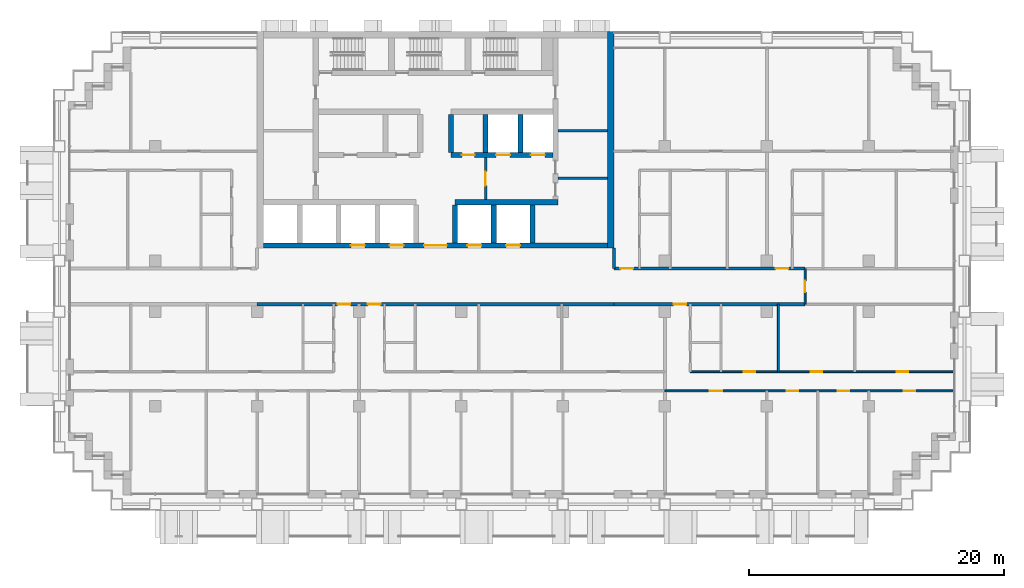
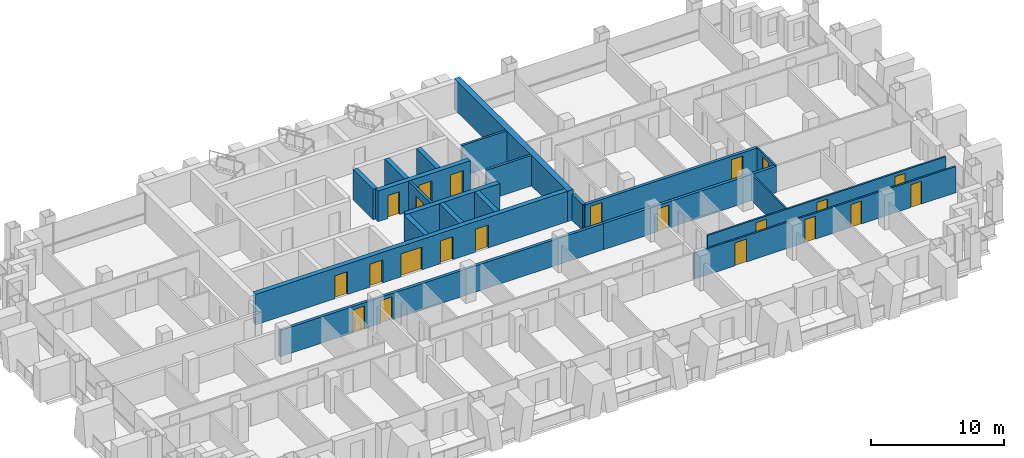
# One storey, part 11 of 18: 22 doors, 21 walls, 22 openings.
"""IFC4 building model written with IfcOpenShell, lengths in metres."""

from ifc_helpers import new_model, si_unit, direction, frame, frame_2d, origin, place, context, subcontext, project, spatial, rectangle, extrude, material, layer, layer_set, type_object, element, fill, save


model = new_model("IFC4")

# Units and contexts
model_context = context("Model", 3, precision=1e-05, world=origin(), true_north=direction((0.0, 1.0)))
body_context = subcontext(model_context, "Body", "Model", "MODEL_VIEW")
ifc_project = project(units=[si_unit("LENGTHUNIT", "METRE"), si_unit("AREAUNIT", "SQUARE_METRE"), si_unit("VOLUMEUNIT", "CUBIC_METRE"), si_unit("PLANEANGLEUNIT", "RADIAN"), si_unit("MASSUNIT", "GRAM", prefix="KILO")], contexts=[model_context])

# Site, building, storey
site_placement = place(None, origin())
site = spatial("IfcSite", under=ifc_project, at=site_placement, CompositionType="ELEMENT")
building_placement = place(site_placement, origin())
building = spatial("IfcBuilding", under=site, at=building_placement, Name="Vidyagriha Tower", CompositionType="ELEMENT")
storey_placement = place(building_placement, frame((0.0, 0.0, 103.10009765625)))
storey = spatial("IfcBuildingStorey", under=building, at=storey_placement, Name="L27", CompositionType="ELEMENT", Elevation=103.10009765625)

# Wall, openings, doors
ifc_material_1 = material(Name="Concrete C60/75", Category="concrete")
ifc_layer_1 = layer(ifc_material_1, 0.39990234375)
ifc_layer_set_1 = layer_set([ifc_layer_1], Name="Concrete C60/75")
wall_type_1 = type_object("IfcWallType", Name="Core shear wall 400 mm", PredefinedType="SHEAR", material=ifc_layer_set_1)
wall_1_placement = place(storey_placement, frame((-13.5, 3.199951171875, 0.0)))
wall_1 = element("IfcWall", 1, at=wall_1_placement, inside=storey, type_object=wall_type_1, Name="Core front wall", PredefinedType="SHEAR", context=body_context, shape_type="SweptSolid", body=[
    extrude(rectangle(XDim=27.0, YDim=0.39990234375, at=frame_2d((13.5, 0.0))), origin(), (0.0, 0.0, 1.0), 2.7998046875),
])
opening_1_placement = place(wall_1_placement, frame((6.861083984375, 0.0, 0.0)))
opening_1 = element("IfcOpeningElement", 2, at=opening_1_placement, cuts=wall_1, Name="Opening LD27-01", PredefinedType="OPENING", context=body_context, shape_type="SweptSolid", body=[
    extrude(rectangle(XDim=1.10009765625, YDim=2.10009765625, at=frame_2d((0.550048828125, 1.050048828125))), frame((0.0, 0.2099609375, 0.0), z_axis=(0.0, -1.0, 0.0), x_axis=(1.0, 0.0, 0.0)), (0.0, 0.0, 1.0), 0.419921875),
])
opening_2_placement = place(wall_1_placement, frame((9.905517578125, 0.0, 0.0)))
opening_2 = element("IfcOpeningElement", 3, at=opening_2_placement, cuts=wall_1, Name="Opening LD27-02", PredefinedType="OPENING", context=body_context, shape_type="SweptSolid", body=[
    extrude(rectangle(XDim=1.10009765625, YDim=2.10009765625, at=frame_2d((0.550048828125, 1.050048828125))), frame((0.0, 0.2099609375, 0.0), z_axis=(0.0, -1.0, 0.0), x_axis=(1.0, 0.0, 0.0)), (0.0, 0.0, 1.0), 0.419921875),
])
opening_3_placement = place(wall_1_placement, frame((15.994384765625, 0.0, 0.0)))
opening_3 = element("IfcOpeningElement", 4, at=opening_3_placement, cuts=wall_1, Name="Opening LD27-03", PredefinedType="OPENING", context=body_context, shape_type="SweptSolid", body=[
    extrude(rectangle(XDim=1.10009765625, YDim=2.10009765625, at=frame_2d((0.550048828125, 1.050048828125))), frame((0.0, 0.2099609375, 0.0), z_axis=(0.0, -1.0, 0.0), x_axis=(1.0, 0.0, 0.0)), (0.0, 0.0, 1.0), 0.419921875),
])
opening_4_placement = place(wall_1_placement, frame((19.038818359375, 0.0, 0.0)))
opening_4 = element("IfcOpeningElement", 5, at=opening_4_placement, cuts=wall_1, Name="Opening LD27-04", PredefinedType="OPENING", context=body_context, shape_type="SweptSolid", body=[
    extrude(rectangle(XDim=1.10009765625, YDim=2.10009765625, at=frame_2d((0.550048828125, 1.050048828125))), frame((0.0, 0.2099609375, 0.0), z_axis=(0.0, -1.0, 0.0), x_axis=(1.0, 0.0, 0.0)), (0.0, 0.0, 1.0), 0.419921875),
])
opening_5_placement = place(wall_1_placement, frame((12.60009765625, 0.0, 0.0)))
opening_5 = element("IfcOpeningElement", 6, at=opening_5_placement, cuts=wall_1, Name="Opening D27-01", PredefinedType="OPENING", context=body_context, shape_type="SweptSolid", body=[
    extrude(rectangle(XDim=1.800048828125, YDim=2.10009765625, at=frame_2d((0.89990234375, 1.050048828125))), frame((0.0, 0.2099609375, 0.0), z_axis=(0.0, -1.0, 0.0), x_axis=(1.0, 0.0, 0.0)), (0.0, 0.0, 1.0), 0.419921875),
])
ifc_material_2 = material(Name="Hollow metal door leaf")
door_type_1 = type_object("IfcDoorType", Name="Core lobby double door 1800 x 2100 mm EI 60", OperationType="NOTDEFINED", PredefinedType="DOOR", material=ifc_material_2)
door_1_placement = place(opening_5_placement, frame((1.800048828125, 0.0, 0.0), z_axis=(0.0, 0.0, 1.0), x_axis=(-1.0, 0.0, 0.0)))
door_1 = element("IfcDoor", 7, at=door_1_placement, inside=storey, type_object=door_type_1, Name="Core entrance door L27", OperationType="DOUBLE_DOOR_SINGLE_SWING", OverallHeight=2.10009765625, OverallWidth=1.800048828125, PredefinedType="DOOR", context=body_context, shape_type="SweptSolid", body=[
    extrude(rectangle(XDim=1.800048828125, YDim=2.10009765625, at=frame_2d((0.89990234375, 1.050048828125))), frame((0.0, 0.02490234375, 0.0), z_axis=(0.0, -1.0, 0.0), x_axis=(1.0, 0.0, 0.0)), (0.0, 0.0, 1.0), 0.050048828125),
])
fill(opening_5, door_1)
ifc_material_3 = material(Name="Stainless steel sliding door panel", Category="steel")
door_type_2 = type_object("IfcDoorType", Name="Lift landing door 1100 x 2100 mm EI 90", OperationType="NOTDEFINED", PredefinedType="DOOR", material=ifc_material_3)
door_2_placement = place(opening_1_placement, origin())
door_2 = element("IfcDoor", 8, at=door_2_placement, inside=storey, type_object=door_type_2, Name="Landing door LR1 L27", OperationType="SLIDING_TO_LEFT", OverallHeight=2.10009765625, OverallWidth=1.10009765625, PredefinedType="DOOR", context=body_context, shape_type="SweptSolid", body=[
    extrude(rectangle(XDim=1.10009765625, YDim=2.10009765625, at=frame_2d((0.550048828125, 1.050048828125))), frame((0.0, 0.02490234375, 0.0), z_axis=(0.0, -1.0, 0.0), x_axis=(1.0, 0.0, 0.0)), (0.0, 0.0, 1.0), 0.050048828125),
])
fill(opening_1, door_2)
door_3_placement = place(opening_2_placement, origin())
door_3 = element("IfcDoor", 9, at=door_3_placement, inside=storey, type_object=door_type_2, Name="Landing door LR2 L27", OperationType="SLIDING_TO_LEFT", OverallHeight=2.10009765625, OverallWidth=1.10009765625, PredefinedType="DOOR", context=body_context, shape_type="SweptSolid", body=[
    extrude(rectangle(XDim=1.10009765625, YDim=2.10009765625, at=frame_2d((0.550048828125, 1.050048828125))), frame((0.0, 0.02490234375, 0.0), z_axis=(0.0, -1.0, 0.0), x_axis=(1.0, 0.0, 0.0)), (0.0, 0.0, 1.0), 0.050048828125),
])
fill(opening_2, door_3)
door_4_placement = place(opening_3_placement, origin())
door_4 = element("IfcDoor", 10, at=door_4_placement, inside=storey, type_object=door_type_2, Name="Landing door LR3 L27", OperationType="SLIDING_TO_LEFT", OverallHeight=2.10009765625, OverallWidth=1.10009765625, PredefinedType="DOOR", context=body_context, shape_type="SweptSolid", body=[
    extrude(rectangle(XDim=1.10009765625, YDim=2.10009765625, at=frame_2d((0.550048828125, 1.050048828125))), frame((0.0, 0.02490234375, 0.0), z_axis=(0.0, -1.0, 0.0), x_axis=(1.0, 0.0, 0.0)), (0.0, 0.0, 1.0), 0.050048828125),
])
fill(opening_3, door_4)
door_5_placement = place(opening_4_placement, origin())
door_5 = element("IfcDoor", 11, at=door_5_placement, inside=storey, type_object=door_type_2, Name="Landing door LR4 L27", OperationType="SLIDING_TO_LEFT", OverallHeight=2.10009765625, OverallWidth=1.10009765625, PredefinedType="DOOR", context=body_context, shape_type="SweptSolid", body=[
    extrude(rectangle(XDim=1.10009765625, YDim=2.10009765625, at=frame_2d((0.550048828125, 1.050048828125))), frame((0.0, 0.02490234375, 0.0), z_axis=(0.0, -1.0, 0.0), x_axis=(1.0, 0.0, 0.0)), (0.0, 0.0, 1.0), 0.050048828125),
])
fill(opening_4, door_5)

# Walls
wall_2_placement = place(storey_placement, frame((1.522216796875, 6.60009765625, 0.0)))
element("IfcWall", 12, at=wall_2_placement, inside=storey, type_object=wall_type_1, Name="Core lobby south wall east", PredefinedType="SHEAR", context=body_context, shape_type="SweptSolid", body=[
    extrude(rectangle(XDim=8.077880859375, YDim=0.39990234375, at=frame_2d((4.0390625, 0.0))), origin(), (0.0, 0.0, 1.0), 2.7998046875),
])
for number, where, z_axis, x_axis, name in (
    (13, (1.522216796875, 3.39990234375, 0.0), (0.0, 0.0, 1.0), (0.0, 1.0, 0.0), "Core bay wall S5"),
    (14, (4.566650390625, 3.39990234375, 0.0), (0.0, 0.0, 1.0), (0.0, 1.0, 0.0), "Core bay wall S6"),
    (15, (7.611083984375, 3.39990234375, 0.0), (0.0, 0.0, 1.0), (0.0, 1.0, 0.0), "Core bay wall S7"),
):
    element("IfcWall", number, at=place(storey_placement, frame(where, z_axis=z_axis, x_axis=x_axis)), inside=storey, type_object=wall_type_1, Name=name, PredefinedType="SHEAR", context=body_context, shape_type="SweptSolid", body=[
        extrude(rectangle(XDim=3.0, YDim=0.39990234375, at=frame_2d((1.5, 0.0))), origin(), (0.0, 0.0, 1.0), 2.7998046875),
    ])

# Wall, openings, doors
wall_3_placement = place(storey_placement, frame((1.199951171875, 10.300048828125, 0.0)))
wall_3 = element("IfcWall", 16, at=wall_3_placement, inside=storey, type_object=wall_type_1, Name="Core row N front wall", PredefinedType="SHEAR", context=body_context, shape_type="SweptSolid", body=[
    extrude(rectangle(XDim=8.0, YDim=0.39990234375, at=frame_2d((4.0, 0.0))), origin(), (0.0, 0.0, 1.0), 2.7998046875),
])
opening_6_placement = place(wall_3_placement, frame((3.550048828125, 0.0, 0.0)))
opening_6 = element("IfcOpeningElement", 17, at=opening_6_placement, cuts=wall_3, Name="Opening LD27-05", PredefinedType="OPENING", context=body_context, shape_type="SweptSolid", body=[
    extrude(rectangle(XDim=1.10009765625, YDim=2.10009765625, at=frame_2d((0.550048828125, 1.050048828125))), frame((0.0, 0.2099609375, 0.0), z_axis=(0.0, -1.0, 0.0), x_axis=(1.0, 0.0, 0.0)), (0.0, 0.0, 1.0), 0.419921875),
])
opening_7_placement = place(wall_3_placement, frame((6.283203125, 0.0, 0.0)))
opening_7 = element("IfcOpeningElement", 18, at=opening_7_placement, cuts=wall_3, Name="Opening LD27-06", PredefinedType="OPENING", context=body_context, shape_type="SweptSolid", body=[
    extrude(rectangle(XDim=1.10009765625, YDim=2.10009765625, at=frame_2d((0.550048828125, 1.050048828125))), frame((0.0, 0.2099609375, 0.0), z_axis=(0.0, -1.0, 0.0), x_axis=(1.0, 0.0, 0.0)), (0.0, 0.0, 1.0), 0.419921875),
])
opening_8_placement = place(wall_3_placement, frame((0.86669921875, 0.0, 0.0)))
opening_8 = element("IfcOpeningElement", 19, at=opening_8_placement, cuts=wall_3, Name="Opening D27-04", PredefinedType="OPENING", context=body_context, shape_type="SweptSolid", body=[
    extrude(rectangle(XDim=1.0, YDim=2.10009765625, at=frame_2d((0.5, 1.050048828125))), frame((0.0, 0.2099609375, 0.0), z_axis=(0.0, -1.0, 0.0), x_axis=(1.0, 0.0, 0.0)), (0.0, 0.0, 1.0), 0.419921875),
])
ifc_material_4 = material(Name="Hollow metal door leaf")
door_type_3 = type_object("IfcDoorType", Name="Core room door 1000 x 2100 mm EI 60", OperationType="NOTDEFINED", PredefinedType="DOOR", material=ifc_material_4)
door_6_placement = place(opening_8_placement, frame((1.0, 0.0, 0.0), z_axis=(0.0, 0.0, 1.0), x_axis=(-1.0, 0.0, 0.0)))
door_6 = element("IfcDoor", 20, at=door_6_placement, inside=storey, type_object=door_type_3, Name="Door Refuse Room 27.16", OperationType="SINGLE_SWING_LEFT", OverallHeight=2.10009765625, OverallWidth=1.0, PredefinedType="DOOR", context=body_context, shape_type="SweptSolid", body=[
    extrude(rectangle(XDim=1.0, YDim=2.10009765625, at=frame_2d((0.5, 1.050048828125))), frame((0.0, 0.02490234375, 0.0), z_axis=(0.0, -1.0, 0.0), x_axis=(1.0, 0.0, 0.0)), (0.0, 0.0, 1.0), 0.050048828125),
])
fill(opening_8, door_6)
door_7_placement = place(opening_6_placement, origin())
door_7 = element("IfcDoor", 21, at=door_7_placement, inside=storey, type_object=door_type_2, Name="Landing door FF1 L27", OperationType="SLIDING_TO_LEFT", OverallHeight=2.10009765625, OverallWidth=1.10009765625, PredefinedType="DOOR", context=body_context, shape_type="SweptSolid", body=[
    extrude(rectangle(XDim=1.10009765625, YDim=2.10009765625, at=frame_2d((0.550048828125, 1.050048828125))), frame((0.0, 0.02490234375, 0.0), z_axis=(0.0, -1.0, 0.0), x_axis=(1.0, 0.0, 0.0)), (0.0, 0.0, 1.0), 0.050048828125),
])
fill(opening_6, door_7)
door_8_placement = place(opening_7_placement, origin())
door_8 = element("IfcDoor", 22, at=door_8_placement, inside=storey, type_object=door_type_2, Name="Landing door FF2 L27", OperationType="SLIDING_TO_LEFT", OverallHeight=2.10009765625, OverallWidth=1.10009765625, PredefinedType="DOOR", context=body_context, shape_type="SweptSolid", body=[
    extrude(rectangle(XDim=1.10009765625, YDim=2.10009765625, at=frame_2d((0.550048828125, 1.050048828125))), frame((0.0, 0.02490234375, 0.0), z_axis=(0.0, -1.0, 0.0), x_axis=(1.0, 0.0, 0.0)), (0.0, 0.0, 1.0), 0.050048828125),
])
fill(opening_7, door_8)

# Walls
for number, where, z_axis, x_axis, name in (
    (23, (1.199951171875, 10.5, 0.0), (0.0, 0.0, 1.0), (0.0, 1.0, 0.0), "Core bay wall N4"),
    (24, (3.933349609375, 10.5, 0.0), (0.0, 0.0, 1.0), (0.0, 1.0, 0.0), "Core bay wall N5"),
    (25, (6.666748046875, 10.5, 0.0), (0.0, 0.0, 1.0), (0.0, 1.0, 0.0), "Core bay wall N6"),
):
    element("IfcWall", number, at=place(storey_placement, frame(where, z_axis=z_axis, x_axis=x_axis)), inside=storey, type_object=wall_type_1, Name=name, PredefinedType="SHEAR", context=body_context, shape_type="SweptSolid", body=[
        extrude(rectangle(XDim=3.0, YDim=0.39990234375, at=frame_2d((1.5, 0.0))), origin(), (0.0, 0.0, 1.0), 2.7998046875),
    ])
ifc_material_5 = material(Name="Concrete C60/75", Category="concrete")
ifc_layer_2 = layer(ifc_material_5, 0.5)
ifc_layer_set_2 = layer_set([ifc_layer_2], Name="Concrete C60/75")
wall_type_2 = type_object("IfcWallType", Name="Core shear wall 500 mm", PredefinedType="SHEAR", material=ifc_layer_set_2)
wall_4_placement = place(storey_placement, frame((13.75, 3.0, 0.0), z_axis=(0.0, 0.0, 1.0), x_axis=(0.0, 1.0, 0.0)))
element("IfcWall", 26, at=wall_4_placement, inside=storey, type_object=wall_type_2, Name="Core east wall", PredefinedType="SHEAR", context=body_context, shape_type="SweptSolid", body=[
    extrude(rectangle(XDim=17.0, YDim=0.5, at=frame_2d((8.5, 0.0))), origin(), (0.0, 0.0, 1.0), 2.7998046875),
])

# Wall, opening, door
ifc_material_6 = material(Name="Fired clay brick masonry", Category="masonry")
ifc_layer_3 = layer(ifc_material_6, 0.25)
ifc_layer_set_3 = layer_set([ifc_layer_3], Name="Fired clay brick masonry")
wall_type_3 = type_object("IfcWallType", Name="Fired clay brick corridor wall 250", PredefinedType="PARTITIONING", material=ifc_layer_set_3)
wall_5_placement = place(storey_placement, frame((29.0, -1.39990234375, 0.0), z_axis=(0.0, 0.0, 1.0), x_axis=(-1.0, 0.0, 0.0)))
wall_5 = element("IfcWall", 27, at=wall_5_placement, inside=storey, type_object=wall_type_3, Name="Wall all-L27-w068", PredefinedType="PARTITIONING", context=body_context, shape_type="SweptSolid", body=[
    extrude(rectangle(XDim=15.0, YDim=0.25, at=frame_2d((7.5, 0.0))), origin(), (0.0, 0.0, 1.0), 2.39990234375),
])
opening_9_placement = place(wall_5_placement, frame((9.31103515625, 0.0, 0.0)))
opening_9 = element("IfcOpeningElement", 28, at=opening_9_placement, cuts=wall_5, Name="Opening D27-45", PredefinedType="OPENING", context=body_context, shape_type="SweptSolid", body=[
    extrude(rectangle(XDim=1.0, YDim=2.10009765625, at=frame_2d((0.5, 1.050048828125))), frame((0.0, 0.135009765625, 0.0), z_axis=(0.0, -1.0, 0.0), x_axis=(1.0, 0.0, 0.0)), (0.0, 0.0, 1.0), 0.27001953125),
])
ifc_material_7 = material(Name="Fire-rated timber door leaf EI 60", Category="wood")
door_type_4 = type_object("IfcDoorType", Name="Flat entrance fire door 1000x2100", OperationType="NOTDEFINED", PredefinedType="DOOR", material=ifc_material_7)
door_9_placement = place(opening_9_placement, origin())
door_9 = element("IfcDoor", 29, at=door_9_placement, inside=storey, type_object=door_type_4, Name="Door D27-45", OperationType="SINGLE_SWING_RIGHT", OverallHeight=2.10009765625, OverallWidth=1.0, PredefinedType="DOOR", context=body_context, shape_type="SweptSolid", body=[
    extrude(rectangle(XDim=1.0, YDim=2.10009765625, at=frame_2d((0.5, 1.050048828125))), frame((0.0, 0.02490234375, 0.0), z_axis=(0.0, -1.0, 0.0), x_axis=(1.0, 0.0, 0.0)), (0.0, 0.0, 1.0), 0.050048828125),
])
fill(opening_9, door_9)

# Wall, openings, doors
wall_6_placement = place(storey_placement, frame((14.0, 1.39990234375, 0.0)))
wall_6 = element("IfcWall", 30, at=wall_6_placement, inside=storey, type_object=wall_type_3, Name="Wall all-L27-w114", PredefinedType="PARTITIONING", context=body_context, shape_type="SweptSolid", body=[
    extrude(rectangle(XDim=15.0, YDim=0.25, at=frame_2d((7.5, 0.0))), origin(), (0.0, 0.0, 1.0), 2.39990234375),
])
opening_10_placement = place(wall_6_placement, frame((0.5, 0.0, 0.0)))
opening_10 = element("IfcOpeningElement", 31, at=opening_10_placement, cuts=wall_6, Name="Opening D27-59", PredefinedType="OPENING", context=body_context, shape_type="SweptSolid", body=[
    extrude(rectangle(XDim=1.0, YDim=2.10009765625, at=frame_2d((0.5, 1.050048828125))), frame((0.0, 0.135009765625, 0.0), z_axis=(0.0, -1.0, 0.0), x_axis=(1.0, 0.0, 0.0)), (0.0, 0.0, 1.0), 0.27001953125),
])
opening_11_placement = place(wall_6_placement, frame((12.68896484375, 0.0, 0.0)))
opening_11 = element("IfcOpeningElement", 32, at=opening_11_placement, cuts=wall_6, Name="Opening D27-66", PredefinedType="OPENING", context=body_context, shape_type="SweptSolid", body=[
    extrude(rectangle(XDim=1.0, YDim=2.10009765625, at=frame_2d((0.5, 1.050048828125))), frame((0.0, 0.135009765625, 0.0), z_axis=(0.0, -1.0, 0.0), x_axis=(1.0, 0.0, 0.0)), (0.0, 0.0, 1.0), 0.27001953125),
])
door_10_placement = place(opening_10_placement, origin())
door_10 = element("IfcDoor", 33, at=door_10_placement, inside=storey, type_object=door_type_4, Name="Door D27-59", OperationType="SINGLE_SWING_LEFT", OverallHeight=2.10009765625, OverallWidth=1.0, PredefinedType="DOOR", context=body_context, shape_type="SweptSolid", body=[
    extrude(rectangle(XDim=1.0, YDim=2.10009765625, at=frame_2d((0.5, 1.050048828125))), frame((0.0, 0.02490234375, 0.0), z_axis=(0.0, -1.0, 0.0), x_axis=(1.0, 0.0, 0.0)), (0.0, 0.0, 1.0), 0.050048828125),
])
fill(opening_10, door_10)
door_11_placement = place(opening_11_placement, origin())
door_11 = element("IfcDoor", 34, at=door_11_placement, inside=storey, type_object=door_type_4, Name="Door D27-66", OperationType="SINGLE_SWING_LEFT", OverallHeight=2.10009765625, OverallWidth=1.0, PredefinedType="DOOR", context=body_context, shape_type="SweptSolid", body=[
    extrude(rectangle(XDim=1.0, YDim=2.10009765625, at=frame_2d((0.5, 1.050048828125))), frame((0.0, 0.02490234375, 0.0), z_axis=(0.0, -1.0, 0.0), x_axis=(1.0, 0.0, 0.0)), (0.0, 0.0, 1.0), 0.050048828125),
])
fill(opening_11, door_11)

wall_7_placement = place(storey_placement, frame((14.0, -1.39990234375, 0.0), z_axis=(0.0, 0.0, 1.0), x_axis=(-1.0, 0.0, 0.0)))
wall_7 = element("IfcWall", 35, at=wall_7_placement, inside=storey, type_object=wall_type_3, Name="Wall all-L27-w118", PredefinedType="PARTITIONING", context=body_context, shape_type="SweptSolid", body=[
    extrude(rectangle(XDim=28.0, YDim=0.25, at=frame_2d((14.0, 0.0))), origin(), (0.0, 0.0, 1.0), 2.39990234375),
])
opening_12_placement = place(wall_7_placement, frame((20.68896484375, 0.0, 0.0)))
opening_12 = element("IfcOpeningElement", 36, at=opening_12_placement, cuts=wall_7, Name="Opening D27-24", PredefinedType="OPENING", context=body_context, shape_type="SweptSolid", body=[
    extrude(rectangle(XDim=1.0, YDim=2.10009765625, at=frame_2d((0.5, 1.050048828125))), frame((0.0, 0.135009765625, 0.0), z_axis=(0.0, -1.0, 0.0), x_axis=(1.0, 0.0, 0.0)), (0.0, 0.0, 1.0), 0.27001953125),
])
opening_13_placement = place(wall_7_placement, frame((18.31103515625, 0.0, 0.0)))
opening_13 = element("IfcOpeningElement", 37, at=opening_13_placement, cuts=wall_7, Name="Opening D27-35", PredefinedType="OPENING", context=body_context, shape_type="SweptSolid", body=[
    extrude(rectangle(XDim=1.0, YDim=2.10009765625, at=frame_2d((0.5, 1.050048828125))), frame((0.0, 0.135009765625, 0.0), z_axis=(0.0, -1.0, 0.0), x_axis=(1.0, 0.0, 0.0)), (0.0, 0.0, 1.0), 0.27001953125),
])
door_12_placement = place(opening_12_placement, origin())
door_12 = element("IfcDoor", 38, at=door_12_placement, inside=storey, type_object=door_type_4, Name="Door D27-24", OperationType="SINGLE_SWING_LEFT", OverallHeight=2.10009765625, OverallWidth=1.0, PredefinedType="DOOR", context=body_context, shape_type="SweptSolid", body=[
    extrude(rectangle(XDim=1.0, YDim=2.10009765625, at=frame_2d((0.5, 1.050048828125))), frame((0.0, 0.02490234375, 0.0), z_axis=(0.0, -1.0, 0.0), x_axis=(1.0, 0.0, 0.0)), (0.0, 0.0, 1.0), 0.050048828125),
])
fill(opening_12, door_12)
door_13_placement = place(opening_13_placement, origin())
door_13 = element("IfcDoor", 39, at=door_13_placement, inside=storey, type_object=door_type_4, Name="Door D27-35", OperationType="SINGLE_SWING_RIGHT", OverallHeight=2.10009765625, OverallWidth=1.0, PredefinedType="DOOR", context=body_context, shape_type="SweptSolid", body=[
    extrude(rectangle(XDim=1.0, YDim=2.10009765625, at=frame_2d((0.5, 1.050048828125))), frame((0.0, 0.02490234375, 0.0), z_axis=(0.0, -1.0, 0.0), x_axis=(1.0, 0.0, 0.0)), (0.0, 0.0, 1.0), 0.050048828125),
])
fill(opening_13, door_13)

# Walls
wall_8_placement = place(storey_placement, frame((14.0, 1.39990234375, 0.0), z_axis=(0.0, 0.0, 1.0), x_axis=(0.0, 1.0, 0.0)))
element("IfcWall", 40, at=wall_8_placement, inside=storey, type_object=wall_type_3, Name="Wall all-L27-w120", PredefinedType="PARTITIONING", context=body_context, shape_type="SweptSolid", body=[
    extrude(rectangle(XDim=1.60009765625, YDim=0.25, at=frame_2d((0.800048828125, 0.0))), origin(), (0.0, 0.0, 1.0), 2.39990234375),
])
ifc_material_8 = material(Name="Gypsum board partition")
ifc_layer_4 = layer(ifc_material_8, 0.14990234375)
ifc_layer_set_4 = layer_set([ifc_layer_4], Name="Gypsum board partition")
wall_type_4 = type_object("IfcWallType", Name="Gypsum board partition 150", PredefinedType="PARTITIONING", material=ifc_layer_set_4)
wall_9_placement = place(storey_placement, frame((26.89990234375, -1.39990234375, 0.0), z_axis=(0.0, 0.0, 1.0), x_axis=(0.0, -1.0, 0.0)))
element("IfcWall", 41, at=wall_9_placement, inside=storey, type_object=wall_type_4, Name="Wall all-L27-w051", PredefinedType="PARTITIONING", context=body_context, shape_type="SweptSolid", body=[
    extrude(rectangle(XDim=5.300048828125, YDim=0.14990234375, at=frame_2d((2.64990234375, 0.0))), origin(), (0.0, 0.0, 1.0), 2.39990234375),
])

# Wall, openings, doors
wall_10_placement = place(storey_placement, frame((20.0, -6.699951171875, 0.0)))
wall_10 = element("IfcWall", 42, at=wall_10_placement, inside=storey, type_object=wall_type_4, Name="Wall all-L27-w053", PredefinedType="PARTITIONING", context=body_context, shape_type="SweptSolid", body=[
    extrude(rectangle(XDim=20.6201171875, YDim=0.14990234375, at=frame_2d((10.31005859375, 0.0))), origin(), (0.0, 0.0, 1.0), 2.39990234375),
])
opening_14_placement = place(wall_10_placement, frame((4.199951171875, 0.0, 0.0)))
opening_14 = element("IfcOpeningElement", 43, at=opening_14_placement, cuts=wall_10, Name="Opening D27-38", PredefinedType="OPENING", context=body_context, shape_type="SweptSolid", body=[
    extrude(rectangle(XDim=0.89990234375, YDim=2.10009765625, at=frame_2d((0.449951171875, 1.050048828125))), frame((0.0, 0.0849609375, 0.0), z_axis=(0.0, -1.0, 0.0), x_axis=(1.0, 0.0, 0.0)), (0.0, 0.0, 1.0), 0.169921875),
])
opening_15_placement = place(wall_10_placement, frame((9.449951171875, 0.0, 0.0)))
opening_15 = element("IfcOpeningElement", 44, at=opening_15_placement, cuts=wall_10, Name="Opening D27-39", PredefinedType="OPENING", context=body_context, shape_type="SweptSolid", body=[
    extrude(rectangle(XDim=0.89990234375, YDim=2.10009765625, at=frame_2d((0.449951171875, 1.050048828125))), frame((0.0, 0.0849609375, 0.0), z_axis=(0.0, -1.0, 0.0), x_axis=(1.0, 0.0, 0.0)), (0.0, 0.0, 1.0), 0.169921875),
])
opening_16_placement = place(wall_10_placement, frame((16.199951171875, 0.0, 0.0)))
opening_16 = element("IfcOpeningElement", 45, at=opening_16_placement, cuts=wall_10, Name="Opening D27-40", PredefinedType="OPENING", context=body_context, shape_type="SweptSolid", body=[
    extrude(rectangle(XDim=0.89990234375, YDim=2.10009765625, at=frame_2d((0.449951171875, 1.050048828125))), frame((0.0, 0.0849609375, 0.0), z_axis=(0.0, -1.0, 0.0), x_axis=(1.0, 0.0, 0.0)), (0.0, 0.0, 1.0), 0.169921875),
])
ifc_material_9 = material(Name="Timber door leaf", Category="wood")
door_type_5 = type_object("IfcDoorType", Name="Room door 900x2100", OperationType="NOTDEFINED", PredefinedType="DOOR", material=ifc_material_9)
door_14_placement = place(opening_14_placement, origin())
door_14 = element("IfcDoor", 46, at=door_14_placement, inside=storey, type_object=door_type_5, Name="Door D27-38", OperationType="SINGLE_SWING_RIGHT", OverallHeight=2.10009765625, OverallWidth=0.89990234375, PredefinedType="DOOR", context=body_context, shape_type="SweptSolid", body=[
    extrude(rectangle(XDim=0.89990234375, YDim=2.10009765625, at=frame_2d((0.449951171875, 1.050048828125))), frame((0.0, 0.02490234375, 0.0), z_axis=(0.0, -1.0, 0.0), x_axis=(1.0, 0.0, 0.0)), (0.0, 0.0, 1.0), 0.050048828125),
])
fill(opening_14, door_14)
door_15_placement = place(opening_15_placement, origin())
door_15 = element("IfcDoor", 47, at=door_15_placement, inside=storey, type_object=door_type_5, Name="Door D27-39", OperationType="SINGLE_SWING_RIGHT", OverallHeight=2.10009765625, OverallWidth=0.89990234375, PredefinedType="DOOR", context=body_context, shape_type="SweptSolid", body=[
    extrude(rectangle(XDim=0.89990234375, YDim=2.10009765625, at=frame_2d((0.449951171875, 1.050048828125))), frame((0.0, 0.02490234375, 0.0), z_axis=(0.0, -1.0, 0.0), x_axis=(1.0, 0.0, 0.0)), (0.0, 0.0, 1.0), 0.050048828125),
])
fill(opening_15, door_15)
door_16_placement = place(opening_16_placement, origin())
door_16 = element("IfcDoor", 48, at=door_16_placement, inside=storey, type_object=door_type_5, Name="Door D27-40", OperationType="SINGLE_SWING_RIGHT", OverallHeight=2.10009765625, OverallWidth=0.89990234375, PredefinedType="DOOR", context=body_context, shape_type="SweptSolid", body=[
    extrude(rectangle(XDim=0.89990234375, YDim=2.10009765625, at=frame_2d((0.449951171875, 1.050048828125))), frame((0.0, 0.02490234375, 0.0), z_axis=(0.0, -1.0, 0.0), x_axis=(1.0, 0.0, 0.0)), (0.0, 0.0, 1.0), 0.050048828125),
])
fill(opening_16, door_16)

wall_11_placement = place(storey_placement, frame((40.6201171875, -8.199951171875, 0.0), z_axis=(0.0, 0.0, 1.0), x_axis=(-1.0, 0.0, 0.0)))
wall_11 = element("IfcWall", 49, at=wall_11_placement, inside=storey, type_object=wall_type_4, Name="Wall all-L27-w057", PredefinedType="PARTITIONING", context=body_context, shape_type="SweptSolid", body=[
    extrude(rectangle(XDim=22.6201171875, YDim=0.14990234375, at=frame_2d((11.31005859375, 0.0))), origin(), (0.0, 0.0, 1.0), 2.39990234375),
])
opening_17_placement = place(wall_11_placement, frame((18.1201171875, 0.0, 0.0)))
opening_17 = element("IfcOpeningElement", 50, at=opening_17_placement, cuts=wall_11, Name="Opening D27-41", PredefinedType="OPENING", context=body_context, shape_type="SweptSolid", body=[
    extrude(rectangle(XDim=1.0, YDim=2.10009765625, at=frame_2d((0.5, 1.050048828125))), frame((0.0, 0.0849609375, 0.0), z_axis=(0.0, -1.0, 0.0), x_axis=(1.0, 0.0, 0.0)), (0.0, 0.0, 1.0), 0.169921875),
])
opening_18_placement = place(wall_11_placement, frame((12.169921875, 0.0, 0.0)))
opening_18 = element("IfcOpeningElement", 51, at=opening_18_placement, cuts=wall_11, Name="Opening D27-42", PredefinedType="OPENING", context=body_context, shape_type="SweptSolid", body=[
    extrude(rectangle(XDim=0.89990234375, YDim=2.10009765625, at=frame_2d((0.449951171875, 1.050048828125))), frame((0.0, 0.0849609375, 0.0), z_axis=(0.0, -1.0, 0.0), x_axis=(1.0, 0.0, 0.0)), (0.0, 0.0, 1.0), 0.169921875),
])
opening_19_placement = place(wall_11_placement, frame((8.169921875, 0.0, 0.0)))
opening_19 = element("IfcOpeningElement", 52, at=opening_19_placement, cuts=wall_11, Name="Opening D27-43", PredefinedType="OPENING", context=body_context, shape_type="SweptSolid", body=[
    extrude(rectangle(XDim=0.89990234375, YDim=2.10009765625, at=frame_2d((0.449951171875, 1.050048828125))), frame((0.0, 0.0849609375, 0.0), z_axis=(0.0, -1.0, 0.0), x_axis=(1.0, 0.0, 0.0)), (0.0, 0.0, 1.0), 0.169921875),
])
opening_20_placement = place(wall_11_placement, frame((2.969970703125, 0.0, 0.0)))
opening_20 = element("IfcOpeningElement", 53, at=opening_20_placement, cuts=wall_11, Name="Opening D27-44", PredefinedType="OPENING", context=body_context, shape_type="SweptSolid", body=[
    extrude(rectangle(XDim=0.89990234375, YDim=2.10009765625, at=frame_2d((0.449951171875, 1.050048828125))), frame((0.0, 0.0849609375, 0.0), z_axis=(0.0, -1.0, 0.0), x_axis=(1.0, 0.0, 0.0)), (0.0, 0.0, 1.0), 0.169921875),
])
ifc_material_10 = material(Name="Timber door leaf", Category="wood")
door_type_6 = type_object("IfcDoorType", Name="Room door 1000x2100", OperationType="NOTDEFINED", PredefinedType="DOOR", material=ifc_material_10)
door_17_placement = place(opening_17_placement, origin())
door_17 = element("IfcDoor", 54, at=door_17_placement, inside=storey, type_object=door_type_6, Name="Door D27-41", OperationType="SINGLE_SWING_RIGHT", OverallHeight=2.10009765625, OverallWidth=1.0, PredefinedType="DOOR", context=body_context, shape_type="SweptSolid", body=[
    extrude(rectangle(XDim=1.0, YDim=2.10009765625, at=frame_2d((0.5, 1.050048828125))), frame((0.0, 0.02490234375, 0.0), z_axis=(0.0, -1.0, 0.0), x_axis=(1.0, 0.0, 0.0)), (0.0, 0.0, 1.0), 0.050048828125),
])
fill(opening_17, door_17)
door_18_placement = place(opening_18_placement, origin())
door_18 = element("IfcDoor", 55, at=door_18_placement, inside=storey, type_object=door_type_5, Name="Door D27-42", OperationType="SINGLE_SWING_RIGHT", OverallHeight=2.10009765625, OverallWidth=0.89990234375, PredefinedType="DOOR", context=body_context, shape_type="SweptSolid", body=[
    extrude(rectangle(XDim=0.89990234375, YDim=2.10009765625, at=frame_2d((0.449951171875, 1.050048828125))), frame((0.0, 0.02490234375, 0.0), z_axis=(0.0, -1.0, 0.0), x_axis=(1.0, 0.0, 0.0)), (0.0, 0.0, 1.0), 0.050048828125),
])
fill(opening_18, door_18)
door_19_placement = place(opening_19_placement, origin())
door_19 = element("IfcDoor", 56, at=door_19_placement, inside=storey, type_object=door_type_5, Name="Door D27-43", OperationType="SINGLE_SWING_RIGHT", OverallHeight=2.10009765625, OverallWidth=0.89990234375, PredefinedType="DOOR", context=body_context, shape_type="SweptSolid", body=[
    extrude(rectangle(XDim=0.89990234375, YDim=2.10009765625, at=frame_2d((0.449951171875, 1.050048828125))), frame((0.0, 0.02490234375, 0.0), z_axis=(0.0, -1.0, 0.0), x_axis=(1.0, 0.0, 0.0)), (0.0, 0.0, 1.0), 0.050048828125),
])
fill(opening_19, door_19)
door_20_placement = place(opening_20_placement, origin())
door_20 = element("IfcDoor", 57, at=door_20_placement, inside=storey, type_object=door_type_5, Name="Door D27-44", OperationType="SINGLE_SWING_LEFT", OverallHeight=2.10009765625, OverallWidth=0.89990234375, PredefinedType="DOOR", context=body_context, shape_type="SweptSolid", body=[
    extrude(rectangle(XDim=0.89990234375, YDim=2.10009765625, at=frame_2d((0.449951171875, 1.050048828125))), frame((0.0, 0.02490234375, 0.0), z_axis=(0.0, -1.0, 0.0), x_axis=(1.0, 0.0, 0.0)), (0.0, 0.0, 1.0), 0.050048828125),
])
fill(opening_20, door_20)

# Wall, opening, door
wall_12_placement = place(storey_placement, frame((29.0, -1.39990234375, 0.0), z_axis=(0.0, 0.0, 1.0), x_axis=(0.0, 1.0, 0.0)))
wall_12 = element("IfcWall", 58, at=wall_12_placement, inside=storey, type_object=wall_type_4, Name="Wall all-L27-w116", PredefinedType="PARTITIONING", context=body_context, shape_type="SweptSolid", body=[
    extrude(rectangle(XDim=2.7998046875, YDim=0.14990234375, at=frame_2d((1.39990234375, 0.0))), origin(), (0.0, 0.0, 1.0), 2.39990234375),
])
opening_21_placement = place(wall_12_placement, frame((0.949951171875, 0.0, 0.0)))
opening_21 = element("IfcOpeningElement", 59, at=opening_21_placement, cuts=wall_12, Name="Opening D27-67", PredefinedType="OPENING", context=body_context, shape_type="SweptSolid", body=[
    extrude(rectangle(XDim=0.89990234375, YDim=2.10009765625, at=frame_2d((0.449951171875, 1.050048828125))), frame((0.0, 0.0849609375, 0.0), z_axis=(0.0, -1.0, 0.0), x_axis=(1.0, 0.0, 0.0)), (0.0, 0.0, 1.0), 0.169921875),
])
door_21_placement = place(opening_21_placement, origin())
door_21 = element("IfcDoor", 60, at=door_21_placement, inside=storey, type_object=door_type_5, Name="Door D27-67", OperationType="SINGLE_SWING_RIGHT", OverallHeight=2.10009765625, OverallWidth=0.89990234375, PredefinedType="DOOR", context=body_context, shape_type="SweptSolid", body=[
    extrude(rectangle(XDim=0.89990234375, YDim=2.10009765625, at=frame_2d((0.449951171875, 1.050048828125))), frame((0.0, 0.02490234375, 0.0), z_axis=(0.0, -1.0, 0.0), x_axis=(1.0, 0.0, 0.0)), (0.0, 0.0, 1.0), 0.050048828125),
])
fill(opening_21, door_21)

ifc_material_11 = material(Name="Blockwork 15 MPa", Category="masonry")
ifc_layer_5 = layer(ifc_material_11, 0.199951171875)
ifc_layer_set_5 = layer_set([ifc_layer_5], Name="Blockwork 15 MPa")
wall_type_5 = type_object("IfcWallType", Name="Service room partition 200 mm", PredefinedType="PARTITIONING", material=ifc_layer_set_5)
wall_13_placement = place(storey_placement, frame((3.933349609375, 6.800048828125, 0.0), z_axis=(0.0, 0.0, 1.0), x_axis=(0.0, 1.0, 0.0)))
wall_13 = element("IfcWall", 61, at=wall_13_placement, inside=storey, type_object=wall_type_5, Name="Fire-fighting lobby west wall", PredefinedType="PARTITIONING", context=body_context, shape_type="SweptSolid", body=[
    extrude(rectangle(XDim=3.300048828125, YDim=0.199951171875, at=frame_2d((1.64990234375, 0.0))), origin(), (0.0, 0.0, 1.0), 2.7998046875),
])
opening_22_placement = place(wall_13_placement, frame((1.10009765625, 0.0, 0.0)))
opening_22 = element("IfcOpeningElement", 62, at=opening_22_placement, cuts=wall_13, Name="Opening D27-05", PredefinedType="OPENING", context=body_context, shape_type="SweptSolid", body=[
    extrude(rectangle(XDim=1.10009765625, YDim=2.10009765625, at=frame_2d((0.550048828125, 1.050048828125))), frame((0.0, 0.10986328125, 0.0), z_axis=(0.0, -1.0, 0.0), x_axis=(1.0, 0.0, 0.0)), (0.0, 0.0, 1.0), 0.219970703125),
])
ifc_material_12 = material(Name="Hollow metal door leaf")
door_type_7 = type_object("IfcDoorType", Name="Fire-fighting lobby door 1100 x 2100 mm EI 90", OperationType="NOTDEFINED", PredefinedType="DOOR", material=ifc_material_12)
door_22_placement = place(opening_22_placement, origin())
door_22 = element("IfcDoor", 63, at=door_22_placement, inside=storey, type_object=door_type_7, Name="Fire-fighting lobby door L27", OperationType="SINGLE_SWING_RIGHT", OverallHeight=2.10009765625, OverallWidth=1.10009765625, PredefinedType="DOOR", context=body_context, shape_type="SweptSolid", body=[
    extrude(rectangle(XDim=1.10009765625, YDim=2.10009765625, at=frame_2d((0.550048828125, 1.050048828125))), frame((0.0, 0.02490234375, 0.0), z_axis=(0.0, -1.0, 0.0), x_axis=(1.0, 0.0, 0.0)), (0.0, 0.0, 1.0), 0.050048828125),
])
fill(opening_22, door_22)

# Walls
for number, where, name in (
    (64, (9.60009765625, 8.5, 0.0), "Core room partition E1"),
    (65, (9.60009765625, 12.199951171875, 0.0), "Core room partition E2"),
):
    element("IfcWall", number, at=place(storey_placement, frame(where)), inside=storey, type_object=wall_type_5, Name=name, PredefinedType="PARTITIONING", context=body_context, shape_type="SweptSolid", body=[
        extrude(rectangle(XDim=3.89990234375, YDim=0.199951171875, at=frame_2d((1.949951171875, 0.0))), origin(), (0.0, 0.0, 1.0), 2.7998046875),
    ])

save(model, "model.ifc")
